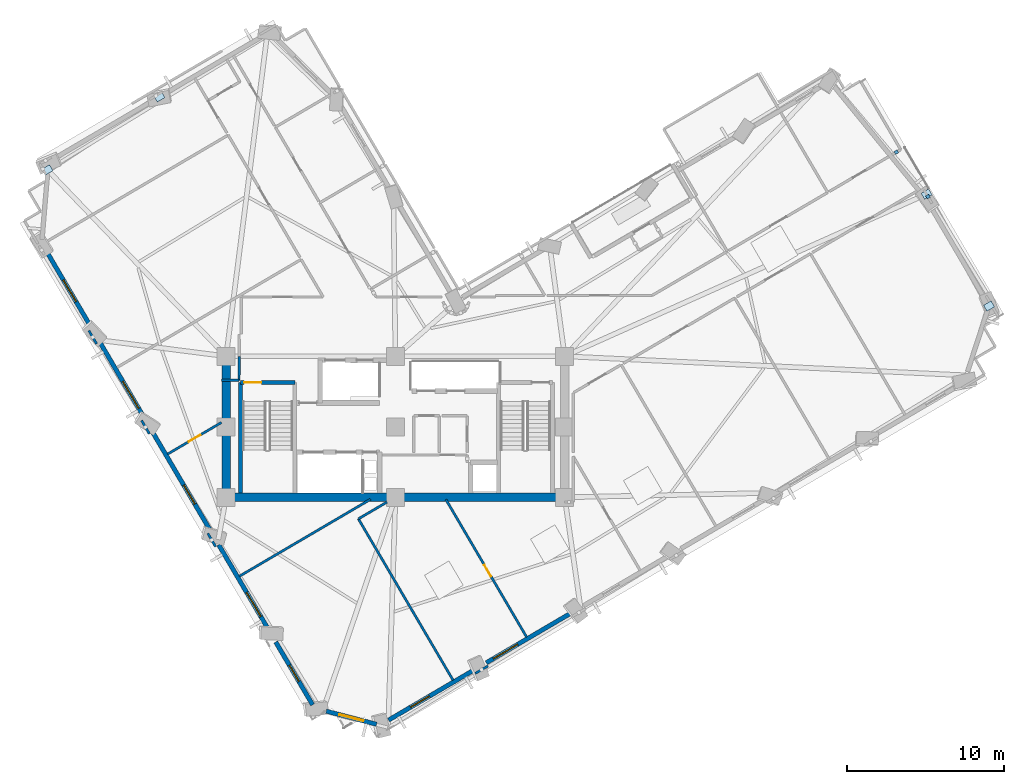
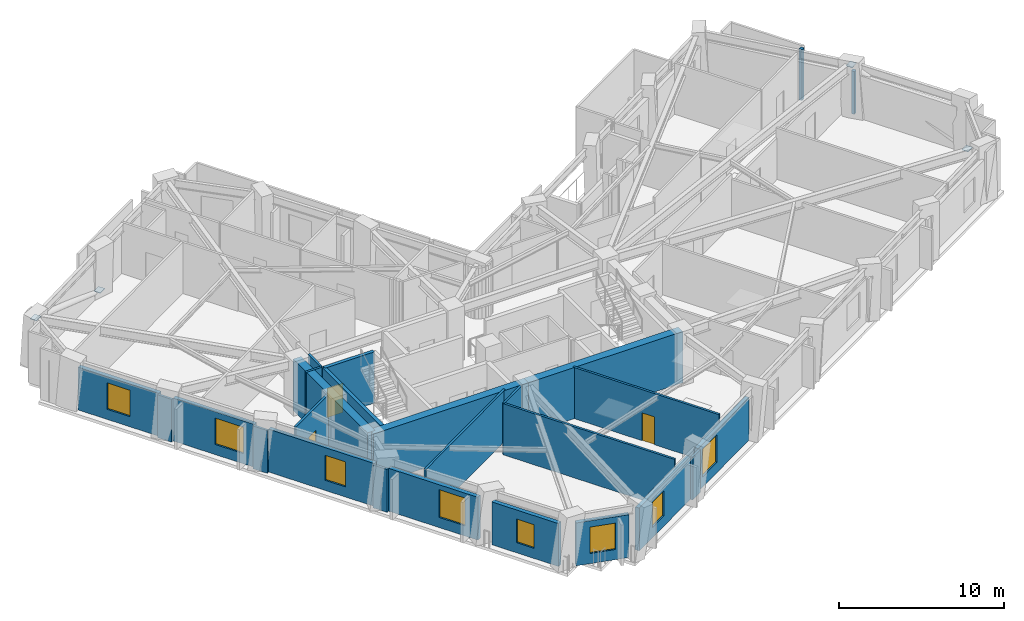
# One storey, part 4 of 12: 24 walls, 8 windows, 6 plates, 3 doors, 11 openings.
"""IFC4 building model written with IfcOpenShell, lengths in metres."""

from ifc_helpers import new_model, si_unit, direction, frame, frame_2d, origin, origin_2d, place, context, subcontext, project, spatial, rectangle, extrude, material, layer, layer_set, type_object, element, fill, save


model = new_model("IFC4")

# Units and contexts
model_context = context("Model", 3, precision=1e-05, world=origin(), true_north=direction((0.0, 1.0)))
body_context = subcontext(model_context, "Body", "Model", "MODEL_VIEW")
ifc_project = project(units=[si_unit("LENGTHUNIT", "METRE"), si_unit("AREAUNIT", "SQUARE_METRE"), si_unit("VOLUMEUNIT", "CUBIC_METRE"), si_unit("PLANEANGLEUNIT", "RADIAN"), si_unit("MASSUNIT", "GRAM", prefix="KILO")], contexts=[model_context])

# Site, building, storey
site_placement = place(None, origin())
site = spatial("IfcSite", under=ifc_project, at=site_placement, CompositionType="ELEMENT")
building_placement = place(site_placement, origin())
building = spatial("IfcBuilding", under=site, at=building_placement, Name="Gaonmaruhae Medical Tower", CompositionType="ELEMENT")
storey_placement = place(building_placement, frame((0.0, 0.0, 153.800048828125)))
storey = spatial("IfcBuildingStorey", under=building, at=storey_placement, Name="L36", CompositionType="ELEMENT", Elevation=153.800048828125)

# Plates
ifc_material_1 = material(Name="Steel HSA650 (650 MPa)", Category="steel")
ifc_layer_1 = layer(ifc_material_1, 0.028076171875)
ifc_layer_set_1 = layer_set([ifc_layer_1], Name="Steel HSA650 (650 MPa)")
plate_type_1 = type_object("IfcPlateType", Name="GP-02 Tube Brace End Cap Gusset Plate", PredefinedType="USERDEFINED", material=ifc_layer_set_1)
for number, where, z_axis, x_axis, name in (
    (1, (62.674560546875, 20.003173828125, 0.23583984375), (0.0, 0.0, 1.0), (0.862513669207, 0.506033764121, 0.0), "L36 Gusset Cap Plate PLT-L36-PBR-E01A"),
    (2, (58.692138671875, 27.147216796875, 3.51611328125), (0.0, 0.0, 1.0), (0.854005138885, 0.520264569962, 0.0), "L36 Gusset Cap Plate PLT-L36-PBR-E01B"),
    (3, (9.74169921875, 33.352783203125, 0.23583984375), (0.0, 0.0, 1.0), (0.862513669207, 0.506033764121, 0.0), "L36 Gusset Cap Plate PLT-L36-PBR-N02A"),
    (4, (2.600341796875, 28.68994140625, 3.51611328125), (0.0, 0.0, 1.0), (0.854005138885, 0.520264569962, 0.0), "L36 Gusset Cap Plate PLT-L36-PBR-N02B"),
):
    element("IfcPlate", number, at=place(storey_placement, frame(where, z_axis=z_axis, x_axis=x_axis)), inside=storey, type_object=plate_type_1, Name=name, ObjectType="GUSSET_PLATE", PredefinedType="USERDEFINED", context=body_context, shape_type="SweptSolid", body=[
        extrude(rectangle(XDim=0.56005859375, YDim=0.43994140625, at=origin_2d()), origin(), (0.0, 0.0, 1.0), 0.028076171875),
    ])
ifc_material_2 = material(Name="Anodised aluminium 6063-T6", Category="aluminium")
ifc_layer_2 = layer(ifc_material_2, 0.011962890625)
ifc_layer_set_2 = layer_set([ifc_layer_2], Name="Anodised aluminium 6063-T6")
plate_type_2 = type_object("IfcPlateType", Name="PP-01 Interior Partition Corner Stiffener Plate", PredefinedType="SHEET", material=ifc_layer_set_2)
plate_1_placement = place(storey_placement, frame((58.77587890625, 26.985107421875, 0.0), z_axis=(0.0, 0.0, 1.0), x_axis=(0.506139136268, -0.862451839083, 0.0)))
element("IfcPlate", 5, at=plate_1_placement, inside=storey, type_object=plate_type_2, Name="L36 Partition Corner Stiffener Plate PLT-L36-JGP-PW030", PredefinedType="SHEET", context=body_context, shape_type="SweptSolid", body=[
    extrude(rectangle(XDim=0.219970703125, YDim=0.219970703125, at=origin_2d()), origin(), (0.0, 0.0, 1.0), 3.1650390625),
])
plate_2_placement = place(storey_placement, frame((56.763427734375, 29.822021484375, 0.0), z_axis=(0.0, 0.0, 1.0), x_axis=(-0.862018667818, -0.506876529674, 0.0)))
element("IfcPlate", 6, at=plate_2_placement, inside=storey, type_object=plate_type_2, Name="L36 Partition Corner Stiffener Plate PLT-L36-JGP-PW089", PredefinedType="SHEET", context=body_context, shape_type="SweptSolid", body=[
    extrude(rectangle(XDim=0.219970703125, YDim=0.219970703125, at=origin_2d()), origin(), (0.0, 0.0, 1.0), 3.780029296875),
])

# Walls
ifc_material_3 = material(Name="Concrete C50/60", Category="concrete")
ifc_layer_3 = layer(ifc_material_3, 0.550048828125)
ifc_layer_set_3 = layer_set([ifc_layer_3], Name="Concrete C50/60")
wall_type_1 = type_object("IfcWallType", Name="CW-550 Mid-High Core Shear Wall", PredefinedType="SHEAR", material=ifc_layer_set_3)
for number, where, z_axis, x_axis, name in (
    (7, (14.0, 7.800048828125, 0.0), (0.0, 0.0, 1.0), (1.0, 0.0, 0.0), "L36 Core Shear Wall CSW-S1"),
    (8, (24.800048828125, 7.800048828125, 0.0), (0.0, 0.0, 1.0), (1.0, 0.0, 0.0), "L36 Core Shear Wall CSW-S2"),
):
    element("IfcWall", number, at=place(storey_placement, frame(where, z_axis=z_axis, x_axis=x_axis)), inside=storey, type_object=wall_type_1, Name=name, PredefinedType="SHEAR", context=body_context, shape_type="SweptSolid", body=[
        extrude(rectangle(XDim=10.800048828125, YDim=0.550048828125, at=frame_2d((5.39990234375, 0.0))), origin(), (0.0, 0.0, 1.0), 3.780029296875),
    ])
wall_1_placement = place(storey_placement, frame((14.0, 16.800048828125, 0.0), z_axis=(0.0, 0.0, 1.0), x_axis=(0.0, -1.0, 0.0)))
element("IfcWall", 9, at=wall_1_placement, inside=storey, type_object=wall_type_1, Name="L36 Core Shear Wall CSW-W1", PredefinedType="SHEAR", context=body_context, shape_type="SweptSolid", body=[
    extrude(rectangle(XDim=9.0, YDim=0.550048828125, at=frame_2d((4.5, 0.0))), origin(), (0.0, 0.0, 1.0), 3.780029296875),
])

# Wall, opening, window
ifc_material_4 = material(Name="Precast concrete C45/55", Category="concrete")
ifc_layer_4 = layer(ifc_material_4, 0.280029296875)
ifc_layer_set_4 = layer_set([ifc_layer_4], Name="Precast concrete C45/55")
wall_type_2 = type_object("IfcWallType", Name="EW-280 Upper Precast Masonry-Frame Facade Wall", PredefinedType="SOLIDWALL", material=ifc_layer_set_4)
wall_2_placement = place(storey_placement, frame((29.773681640625, -3.241455078125, 0.0), z_axis=(0.0, 0.0, 1.0), x_axis=(-0.862502244899, -0.506053235879, 0.0)))
wall_2 = element("IfcWall", 10, at=wall_2_placement, inside=storey, type_object=wall_type_2, Name="L36 Precast Masonry-Frame Wall S01-S02", PredefinedType="SOLIDWALL", context=body_context, shape_type="SweptSolid", body=[
    extrude(rectangle(XDim=6.269775390625, YDim=0.280029296875, at=frame_2d((3.134765625, 0.0))), origin(), (0.0, 0.0, 1.0), 3.1650390625),
])
opening_1_placement = place(wall_2_placement, frame((3.246826171875, 0.0, 0.75)))
opening_1 = element("IfcOpeningElement", 11, at=opening_1_placement, cuts=wall_2, Name="Opening WN-03", PredefinedType="OPENING", context=body_context, shape_type="SweptSolid", body=[
    extrude(rectangle(XDim=1.39990234375, YDim=1.85009765625, at=frame_2d((0.699951171875, 0.925048828125))), frame((0.0, 0.14990234375, 0.0), z_axis=(0.0, -1.0, 0.0), x_axis=(1.0, 0.0, 0.0)), (0.0, 0.0, 1.0), 0.300048828125),
])
ifc_material_5 = material(Name="Anodised aluminium and Low-E double glazing", Category="aluminium")
window_type_1 = type_object("IfcWindowType", Name="WN-03 Isolation Ward Punched Window 1400x1850", PartitioningType="SINGLE_PANEL", PredefinedType="WINDOW", material=ifc_material_5)
window_1_placement = place(opening_1_placement, origin())
window_1 = element("IfcWindow", 12, at=window_1_placement, inside=storey, type_object=window_type_1, Name="L36 Modular Facade Window S01", OverallHeight=1.85009765625, OverallWidth=1.39990234375, PartitioningType="SINGLE_PANEL", PredefinedType="WINDOW", context=body_context, shape_type="SweptSolid", body=[
    extrude(rectangle(XDim=1.39990234375, YDim=1.85009765625, at=frame_2d((0.699951171875, 0.925048828125))), frame((0.0, 0.030029296875, 0.0), z_axis=(0.0, -1.0, 0.0), x_axis=(1.0, 0.0, 0.0)), (0.0, 0.0, 1.0), 0.06005859375),
])
fill(opening_1, window_1)

wall_3_placement = place(storey_placement, frame((35.9716796875, 0.394775390625, 0.0), z_axis=(0.0, 0.0, 1.0), x_axis=(-0.862513511096, -0.506034033615, 0.0)))
wall_3 = element("IfcWall", 13, at=wall_3_placement, inside=storey, type_object=wall_type_2, Name="L36 Precast Masonry-Frame Wall S02-S03", PredefinedType="SOLIDWALL", context=body_context, shape_type="SweptSolid", body=[
    extrude(rectangle(XDim=6.234375, YDim=0.280029296875, at=frame_2d((3.1171875, 0.0))), origin(), (0.0, 0.0, 1.0), 3.1650390625),
])
opening_2_placement = place(wall_3_placement, frame((3.907470703125, 0.0, 0.75)))
opening_2 = element("IfcOpeningElement", 14, at=opening_2_placement, cuts=wall_3, Name="Opening WN-04", PredefinedType="OPENING", context=body_context, shape_type="SweptSolid", body=[
    extrude(rectangle(XDim=1.800048828125, YDim=2.050048828125, at=frame_2d((0.89990234375, 1.02490234375))), frame((0.0, 0.14990234375, 0.0), z_axis=(0.0, -1.0, 0.0), x_axis=(1.0, 0.0, 0.0)), (0.0, 0.0, 1.0), 0.300048828125),
])
window_type_2 = type_object("IfcWindowType", Name="WN-04 Clinic & Consult Punched Window 1800x2050", PartitioningType="SINGLE_PANEL", PredefinedType="WINDOW", material=ifc_material_5)
window_2_placement = place(opening_2_placement, origin())
window_2 = element("IfcWindow", 15, at=window_2_placement, inside=storey, type_object=window_type_2, Name="L36 Modular Facade Window S02", OverallHeight=2.050048828125, OverallWidth=1.800048828125, PartitioningType="SINGLE_PANEL", PredefinedType="WINDOW", context=body_context, shape_type="SweptSolid", body=[
    extrude(rectangle(XDim=1.800048828125, YDim=2.050048828125, at=frame_2d((0.89990234375, 1.02490234375))), frame((0.0, 0.030029296875, 0.0), z_axis=(0.0, -1.0, 0.0), x_axis=(1.0, 0.0, 0.0)), (0.0, 0.0, 1.0), 0.06005859375),
])
fill(opening_2, window_2)

wall_4_placement = place(storey_placement, frame((5.43896484375, 18.553955078125, 0.0), z_axis=(0.0, 0.0, 1.0), x_axis=(-0.506043442112, 0.862507991091, 0.0)))
wall_4 = element("IfcWall", 16, at=wall_4_placement, inside=storey, type_object=wall_type_2, Name="L36 Precast Masonry-Frame Wall W01-W02", PredefinedType="SOLIDWALL", context=body_context, shape_type="SweptSolid", body=[
    extrude(rectangle(XDim=5.627685546875, YDim=0.280029296875, at=frame_2d((2.81396484375, 0.0))), origin(), (0.0, 0.0, 1.0), 3.1650390625),
])
opening_3_placement = place(wall_4_placement, frame((2.01123046875, 0.0, 0.75)))
opening_3 = element("IfcOpeningElement", 17, at=opening_3_placement, cuts=wall_4, Name="Opening WN-01", PredefinedType="OPENING", context=body_context, shape_type="SweptSolid", body=[
    extrude(rectangle(XDim=1.60009765625, YDim=1.949951171875, at=frame_2d((0.800048828125, 0.97509765625))), frame((0.0, 0.14990234375, 0.0), z_axis=(0.0, -1.0, 0.0), x_axis=(1.0, 0.0, 0.0)), (0.0, 0.0, 1.0), 0.300048828125),
])
window_type_3 = type_object("IfcWindowType", Name="WN-01 Ward Punched Acoustic Window 1600x1950", PartitioningType="SINGLE_PANEL", PredefinedType="WINDOW", material=ifc_material_5)
window_3_placement = place(opening_3_placement, origin())
window_3 = element("IfcWindow", 18, at=window_3_placement, inside=storey, type_object=window_type_3, Name="L36 Modular Facade Window W01", OverallHeight=1.949951171875, OverallWidth=1.60009765625, PartitioningType="SINGLE_PANEL", PredefinedType="WINDOW", context=body_context, shape_type="SweptSolid", body=[
    extrude(rectangle(XDim=1.60009765625, YDim=1.949951171875, at=frame_2d((0.800048828125, 0.97509765625))), frame((0.0, 0.030029296875, 0.0), z_axis=(0.0, -1.0, 0.0), x_axis=(1.0, 0.0, 0.0)), (0.0, 0.0, 1.0), 0.06005859375),
])
fill(opening_3, window_3)

wall_5_placement = place(storey_placement, frame((8.801513671875, 12.82275390625, 0.0), z_axis=(0.0, 0.0, 1.0), x_axis=(-0.506043695411, 0.862507842477, 0.0)))
wall_5 = element("IfcWall", 19, at=wall_5_placement, inside=storey, type_object=wall_type_2, Name="L36 Precast Masonry-Frame Wall W02-W03", PredefinedType="SOLIDWALL", context=body_context, shape_type="SweptSolid", body=[
    extrude(rectangle(XDim=5.662109375, YDim=0.280029296875, at=frame_2d((2.8310546875, 0.0))), origin(), (0.0, 0.0, 1.0), 3.1650390625),
])
opening_4_placement = place(wall_5_placement, frame((0.748291015625, 0.0, 0.75)))
opening_4 = element("IfcOpeningElement", 20, at=opening_4_placement, cuts=wall_5, Name="Opening WN-02", PredefinedType="OPENING", context=body_context, shape_type="SweptSolid", body=[
    extrude(rectangle(XDim=2.0, YDim=1.949951171875, at=frame_2d((1.0, 0.97509765625))), frame((0.0, 0.14990234375, 0.0), z_axis=(0.0, -1.0, 0.0), x_axis=(1.0, 0.0, 0.0)), (0.0, 0.0, 1.0), 0.300048828125),
])
window_type_4 = type_object("IfcWindowType", Name="WN-02 Double-Bed Ward Punched Window 2000x1950", PartitioningType="SINGLE_PANEL", PredefinedType="WINDOW", material=ifc_material_5)
window_4_placement = place(opening_4_placement, origin())
window_4 = element("IfcWindow", 21, at=window_4_placement, inside=storey, type_object=window_type_4, Name="L36 Modular Facade Window W02", OverallHeight=1.949951171875, OverallWidth=2.0, PartitioningType="SINGLE_PANEL", PredefinedType="WINDOW", context=body_context, shape_type="SweptSolid", body=[
    extrude(rectangle(XDim=2.0, YDim=1.949951171875, at=frame_2d((1.0, 0.97509765625))), frame((0.0, 0.030029296875, 0.0), z_axis=(0.0, -1.0, 0.0), x_axis=(1.0, 0.0, 0.0)), (0.0, 0.0, 1.0), 0.06005859375),
])
fill(opening_4, window_4)

wall_6_placement = place(storey_placement, frame((13.028076171875, 5.618896484375, 0.0), z_axis=(0.0, 0.0, 1.0), x_axis=(-0.506051462326, 0.862503285488, 0.0)))
wall_6 = element("IfcWall", 22, at=wall_6_placement, inside=storey, type_object=wall_type_2, Name="L36 Precast Masonry-Frame Wall W03-W04", PredefinedType="SOLIDWALL", context=body_context, shape_type="SweptSolid", body=[
    extrude(rectangle(XDim=7.360107421875, YDim=0.280029296875, at=frame_2d((3.68017578125, 0.0))), origin(), (0.0, 0.0, 1.0), 3.1650390625),
])
opening_5_placement = place(wall_6_placement, frame((2.025146484375, 0.0, 0.75)))
opening_5 = element("IfcOpeningElement", 23, at=opening_5_placement, cuts=wall_6, Name="Opening WN-03", PredefinedType="OPENING", context=body_context, shape_type="SweptSolid", body=[
    extrude(rectangle(XDim=1.39990234375, YDim=1.85009765625, at=frame_2d((0.699951171875, 0.925048828125))), frame((0.0, 0.14990234375, 0.0), z_axis=(0.0, -1.0, 0.0), x_axis=(1.0, 0.0, 0.0)), (0.0, 0.0, 1.0), 0.300048828125),
])
window_5_placement = place(opening_5_placement, origin())
window_5 = element("IfcWindow", 24, at=window_5_placement, inside=storey, type_object=window_type_1, Name="L36 Modular Facade Window W03", OverallHeight=1.85009765625, OverallWidth=1.39990234375, PartitioningType="SINGLE_PANEL", PredefinedType="WINDOW", context=body_context, shape_type="SweptSolid", body=[
    extrude(rectangle(XDim=1.39990234375, YDim=1.85009765625, at=frame_2d((0.699951171875, 0.925048828125))), frame((0.0, 0.030029296875, 0.0), z_axis=(0.0, -1.0, 0.0), x_axis=(1.0, 0.0, 0.0)), (0.0, 0.0, 1.0), 0.06005859375),
])
fill(opening_5, window_5)

wall_7_placement = place(storey_placement, frame((16.676513671875, -0.599853515625, 0.0), z_axis=(0.0, 0.0, 1.0), x_axis=(-0.506042627489, 0.862508469039, 0.0)))
wall_7 = element("IfcWall", 25, at=wall_7_placement, inside=storey, type_object=wall_type_2, Name="L36 Precast Masonry-Frame Wall W04-W05", PredefinedType="SOLIDWALL", context=body_context, shape_type="SweptSolid", body=[
    extrude(rectangle(XDim=6.2236328125, YDim=0.280029296875, at=frame_2d((3.11181640625, 0.0))), origin(), (0.0, 0.0, 1.0), 3.1650390625),
])
opening_6_placement = place(wall_7_placement, frame((0.91259765625, 0.0, 0.75)))
opening_6 = element("IfcOpeningElement", 26, at=opening_6_placement, cuts=wall_7, Name="Opening WN-04", PredefinedType="OPENING", context=body_context, shape_type="SweptSolid", body=[
    extrude(rectangle(XDim=1.800048828125, YDim=2.050048828125, at=frame_2d((0.89990234375, 1.02490234375))), frame((0.0, 0.14990234375, 0.0), z_axis=(0.0, -1.0, 0.0), x_axis=(1.0, 0.0, 0.0)), (0.0, 0.0, 1.0), 0.300048828125),
])
window_6_placement = place(opening_6_placement, origin())
window_6 = element("IfcWindow", 27, at=window_6_placement, inside=storey, type_object=window_type_2, Name="L36 Modular Facade Window W04", OverallHeight=2.050048828125, OverallWidth=1.800048828125, PartitioningType="SINGLE_PANEL", PredefinedType="WINDOW", context=body_context, shape_type="SweptSolid", body=[
    extrude(rectangle(XDim=1.800048828125, YDim=2.050048828125, at=frame_2d((0.89990234375, 1.02490234375))), frame((0.0, 0.030029296875, 0.0), z_axis=(0.0, -1.0, 0.0), x_axis=(1.0, 0.0, 0.0)), (0.0, 0.0, 1.0), 0.06005859375),
])
fill(opening_6, window_6)

wall_8_placement = place(storey_placement, frame((19.516845703125, -5.441162109375, 0.0), z_axis=(0.0, 0.0, 1.0), x_axis=(-0.506034933201, 0.862512983311, 0.0)))
wall_8 = element("IfcWall", 28, at=wall_8_placement, inside=storey, type_object=wall_type_2, Name="L36 Precast Masonry-Frame Wall W05-W06", PredefinedType="SOLIDWALL", context=body_context, shape_type="SweptSolid", body=[
    extrude(rectangle(XDim=4.6474609375, YDim=0.280029296875, at=frame_2d((2.32373046875, 0.0))), origin(), (0.0, 0.0, 1.0), 3.1650390625),
])
opening_7_placement = place(wall_8_placement, frame((1.72705078125, 0.0, 0.75)))
opening_7 = element("IfcOpeningElement", 29, at=opening_7_placement, cuts=wall_8, Name="Opening WN-05", PredefinedType="OPENING", context=body_context, shape_type="SweptSolid", body=[
    extrude(rectangle(XDim=1.199951171875, YDim=1.75, at=frame_2d((0.60009765625, 0.875))), frame((0.0, 0.14990234375, 0.0), z_axis=(0.0, -1.0, 0.0), x_axis=(1.0, 0.0, 0.0)), (0.0, 0.0, 1.0), 0.300048828125),
])
window_type_5 = type_object("IfcWindowType", Name="WN-05 Support & Staff Punched Window 1200x1750", PartitioningType="SINGLE_PANEL", PredefinedType="WINDOW", material=ifc_material_5)
window_7_placement = place(opening_7_placement, origin())
window_7 = element("IfcWindow", 30, at=window_7_placement, inside=storey, type_object=window_type_5, Name="L36 Modular Facade Window W05", OverallHeight=1.75, OverallWidth=1.199951171875, PartitioningType="SINGLE_PANEL", PredefinedType="WINDOW", context=body_context, shape_type="SweptSolid", body=[
    extrude(rectangle(XDim=1.199951171875, YDim=1.75, at=frame_2d((0.60009765625, 0.875))), frame((0.0, 0.030029296875, 0.0), z_axis=(0.0, -1.0, 0.0), x_axis=(1.0, 0.0, 0.0)), (0.0, 0.0, 1.0), 0.06005859375),
])
fill(opening_7, window_7)

wall_9_placement = place(storey_placement, frame((23.598388671875, -6.68212890625, 0.0), z_axis=(0.0, 0.0, 1.0), x_axis=(-0.96770071089, 0.252101832883, 0.0)))
wall_9 = element("IfcWall", 31, at=wall_9_placement, inside=storey, type_object=wall_type_2, Name="L36 Precast Masonry-Frame Wall W06-S01", PredefinedType="SOLIDWALL", context=body_context, shape_type="SweptSolid", body=[
    extrude(rectangle(XDim=3.32275390625, YDim=0.280029296875, at=frame_2d((1.661376953125, 0.0))), origin(), (0.0, 0.0, 1.0), 3.1650390625),
])
opening_8_placement = place(wall_9_placement, frame((0.86083984375, 0.0, 0.75)))
opening_8 = element("IfcOpeningElement", 32, at=opening_8_placement, cuts=wall_9, Name="Opening WN-01", PredefinedType="OPENING", context=body_context, shape_type="SweptSolid", body=[
    extrude(rectangle(XDim=1.60009765625, YDim=1.949951171875, at=frame_2d((0.800048828125, 0.97509765625))), frame((0.0, 0.14990234375, 0.0), z_axis=(0.0, -1.0, 0.0), x_axis=(1.0, 0.0, 0.0)), (0.0, 0.0, 1.0), 0.300048828125),
])
window_8_placement = place(opening_8_placement, origin())
window_8 = element("IfcWindow", 33, at=window_8_placement, inside=storey, type_object=window_type_3, Name="L36 Modular Facade Window W06", OverallHeight=1.949951171875, OverallWidth=1.60009765625, PartitioningType="SINGLE_PANEL", PredefinedType="WINDOW", context=body_context, shape_type="SweptSolid", body=[
    extrude(rectangle(XDim=1.60009765625, YDim=1.949951171875, at=frame_2d((0.800048828125, 0.97509765625))), frame((0.0, 0.030029296875, 0.0), z_axis=(0.0, -1.0, 0.0), x_axis=(1.0, 0.0, 0.0)), (0.0, 0.0, 1.0), 0.06005859375),
])
fill(opening_8, window_8)

# Walls
ifc_material_6 = material(Name="Gypsum board partition", Category="gypsum")
ifc_layer_5 = layer(ifc_material_6, 0.14990234375)
ifc_layer_set_5 = layer_set([ifc_layer_5], Name="Gypsum board partition")
wall_type_3 = type_object("IfcWallType", Name="PW-150 Rated Clinical Corridor Partition", PredefinedType="PARTITIONING", material=ifc_layer_set_5)
wall_10_placement = place(storey_placement, frame((30.7109375, -2.958984375, 0.0), z_axis=(0.0, 0.0, 1.0), x_axis=(-0.862856185933, -0.505449505289, 0.0)))
element("IfcWall", 34, at=wall_10_placement, inside=storey, type_object=wall_type_3, Name="L36 Interior Partition L36-SUP02-8", PredefinedType="PARTITIONING", context=body_context, shape_type="SweptSolid", body=[
    extrude(rectangle(XDim=0.95166015625, YDim=0.14990234375, at=frame_2d((0.475830078125, 0.0))), origin(), (0.0, 0.0, 1.0), 3.1650390625),
])
wall_11_placement = place(storey_placement, frame((28.47802734375, -3.867919921875, 0.0), z_axis=(0.0, 0.0, 1.0), x_axis=(-0.506072235551, 0.862491097, 0.0)))
element("IfcWall", 35, at=wall_11_placement, inside=storey, type_object=wall_type_3, Name="L36 Interior Partition L36-SUP02-9", PredefinedType="PARTITIONING", context=body_context, shape_type="SweptSolid", body=[
    extrude(rectangle(XDim=11.93505859375, YDim=0.14990234375, at=frame_2d((5.967529296875, 0.0))), origin(), (0.0, 0.0, 1.0), 3.780029296875),
])
wall_12_placement = place(storey_placement, frame((22.43798828125, 6.426025390625, 0.0), z_axis=(0.0, 0.0, 1.0), x_axis=(0.862692781394, 0.505728350926, 0.0)))
element("IfcWall", 36, at=wall_12_placement, inside=storey, type_object=wall_type_3, Name="L36 Interior Partition L36-SUP02-10", PredefinedType="PARTITIONING", context=body_context, shape_type="SweptSolid", body=[
    extrude(rectangle(XDim=2.12353515625, YDim=0.14990234375, at=frame_2d((1.061767578125, 0.0))), origin(), (0.0, 0.0, 1.0), 3.780029296875),
])

# Wall, opening, door
wall_13_placement = place(storey_placement, frame((28.02001953125, 7.662109375, 0.0), z_axis=(0.0, 0.0, 1.0), x_axis=(0.506063633063, -0.862496144508, 0.0)))
wall_13 = element("IfcWall", 37, at=wall_13_placement, inside=storey, type_object=wall_type_3, Name="L36 Interior Partition L36-SUP02-11", PredefinedType="PARTITIONING", context=body_context, shape_type="SweptSolid", body=[
    extrude(rectangle(XDim=10.176513671875, YDim=0.14990234375, at=frame_2d((5.08837890625, 0.0))), origin(), (0.0, 0.0, 1.0), 3.780029296875),
])
opening_9_placement = place(wall_13_placement, frame((4.83203125, 0.0, 0.0)))
opening_9 = element("IfcOpeningElement", 38, at=opening_9_placement, cuts=wall_13, Name="Opening AD-01", PredefinedType="OPENING", context=body_context, shape_type="SweptSolid", body=[
    extrude(rectangle(XDim=0.860107421875, YDim=2.06005859375, at=frame_2d((0.43017578125, 1.030029296875))), frame((0.0, 0.0849609375, 0.0), z_axis=(0.0, -1.0, 0.0), x_axis=(1.0, 0.0, 0.0)), (0.0, 0.0, 1.0), 0.169921875),
])
ifc_material_7 = material(Name="Powder-coated steel access door", Category="steel")
door_type_1 = type_object("IfcDoorType", Name="AD-01 Riser & Closet Access Fire Door 860x2060", OperationType="NOTDEFINED", PredefinedType="DOOR", material=ifc_material_7)
door_1_placement = place(opening_9_placement, origin())
door_1 = element("IfcDoor", 39, at=door_1_placement, inside=storey, type_object=door_type_1, Name="L36 Clinical Biomedical Charting Office Sliding Door", OperationType="SLIDING_TO_LEFT", OverallHeight=2.06005859375, OverallWidth=0.860107421875, PredefinedType="DOOR", context=body_context, shape_type="SweptSolid", body=[
    extrude(rectangle(XDim=0.860107421875, YDim=2.06005859375, at=frame_2d((0.43017578125, 1.030029296875))), frame((0.0, 0.02490234375, 0.0), z_axis=(0.0, -1.0, 0.0), x_axis=(1.0, 0.0, 0.0)), (0.0, 0.0, 1.0), 0.050048828125),
])
fill(opening_9, door_1)

# Walls
wall_14_placement = place(storey_placement, frame((23.214111328125, 7.675048828125, 0.0), z_axis=(0.0, 0.0, 1.0), x_axis=(-0.862480430276, -0.506090414245, 0.0)))
element("IfcWall", 40, at=wall_14_placement, inside=storey, type_object=wall_type_3, Name="L36 Interior Partition L36-WOF08-34", PredefinedType="PARTITIONING", context=body_context, shape_type="SweptSolid", body=[
    extrude(rectangle(XDim=9.711669921875, YDim=0.14990234375, at=frame_2d((4.85595703125, 0.0))), origin(), (0.0, 0.0, 1.0), 3.780029296875),
])
wall_15_placement = place(storey_placement, frame((13.3291015625, 4.652099609375, 0.0), z_axis=(0.0, 0.0, 1.0), x_axis=(-0.506348760588, 0.862328784543, 0.0)))
element("IfcWall", 41, at=wall_15_placement, inside=storey, type_object=wall_type_3, Name="L36 Interior Partition L36-WOF08-35", PredefinedType="PARTITIONING", context=body_context, shape_type="SweptSolid", body=[
    extrude(rectangle(XDim=0.985595703125, YDim=0.14990234375, at=frame_2d((0.49267578125, 0.0))), origin(), (0.0, 0.0, 1.0), 3.1650390625),
])

# Wall, opening, door
wall_16_placement = place(storey_placement, frame((10.263916015625, 10.55810546875, 0.0), z_axis=(0.0, 0.0, 1.0), x_axis=(0.862518129621, 0.506026161453, 0.0)))
wall_16 = element("IfcWall", 42, at=wall_16_placement, inside=storey, type_object=wall_type_3, Name="L36 Interior Partition L36-WOF08-36", PredefinedType="PARTITIONING", context=body_context, shape_type="SweptSolid", body=[
    extrude(rectangle(XDim=3.983642578125, YDim=0.14990234375, at=frame_2d((1.99169921875, 0.0))), origin(), (0.0, 0.0, 1.0), 3.780029296875),
])
opening_10_placement = place(wall_16_placement, frame((1.56201171875, 0.0, 0.0)))
opening_10 = element("IfcOpeningElement", 43, at=opening_10_placement, cuts=wall_16, Name="Opening AD-01", PredefinedType="OPENING", context=body_context, shape_type="SweptSolid", body=[
    extrude(rectangle(XDim=0.860107421875, YDim=2.06005859375, at=frame_2d((0.43017578125, 1.030029296875))), frame((0.0, 0.0849609375, 0.0), z_axis=(0.0, -1.0, 0.0), x_axis=(1.0, 0.0, 0.0)), (0.0, 0.0, 1.0), 0.169921875),
])
door_2_placement = place(opening_10_placement, origin())
door_2 = element("IfcDoor", 44, at=door_2_placement, inside=storey, type_object=door_type_1, Name="L36 Ward Physician Reporting Office Sliding Door", OperationType="SLIDING_TO_LEFT", OverallHeight=2.06005859375, OverallWidth=0.860107421875, PredefinedType="DOOR", context=body_context, shape_type="SweptSolid", body=[
    extrude(rectangle(XDim=0.860107421875, YDim=2.06005859375, at=frame_2d((0.43017578125, 1.030029296875))), frame((0.0, 0.02490234375, 0.0), z_axis=(0.0, -1.0, 0.0), x_axis=(1.0, 0.0, 0.0)), (0.0, 0.0, 1.0), 0.050048828125),
])
fill(opening_10, door_2)

# Walls
wall_17_placement = place(storey_placement, frame((14.841064453125, 16.800048828125, 0.0), z_axis=(0.0, 0.0, 1.0), x_axis=(-0.01363221443, -0.999907077048, 0.0)))
element("IfcWall", 45, at=wall_17_placement, inside=storey, type_object=wall_type_3, Name="L36 Interior Partition L36-WOF09-39", PredefinedType="PARTITIONING", context=body_context, shape_type="SweptSolid", body=[
    extrude(rectangle(XDim=1.540283203125, YDim=0.14990234375, at=frame_2d((0.77001953125, 0.0))), origin(), (0.0, 0.0, 1.0), 3.780029296875),
])
wall_18_placement = place(storey_placement, frame((14.820068359375, 15.260009765625, 0.0), z_axis=(0.0, 0.0, 1.0), x_axis=(-1.0, 0.0, 0.0)))
element("IfcWall", 46, at=wall_18_placement, inside=storey, type_object=wall_type_3, Name="L36 Interior Partition L36-WOF09-40", PredefinedType="PARTITIONING", context=body_context, shape_type="SweptSolid", body=[
    extrude(rectangle(XDim=1.1201171875, YDim=0.14990234375, at=frame_2d((0.56005859375, 0.0))), origin(), (0.0, 0.0, 1.0), 3.780029296875),
])
wall_19_placement = place(storey_placement, frame((9.10498046875, 11.85107421875, 0.0), z_axis=(0.0, 0.0, 1.0), x_axis=(-0.506288159859, 0.862364365675, 0.0)))
element("IfcWall", 47, at=wall_19_placement, inside=storey, type_object=wall_type_3, Name="L36 Interior Partition L36-WOF09-41", PredefinedType="PARTITIONING", context=body_context, shape_type="SweptSolid", body=[
    extrude(rectangle(XDim=0.991455078125, YDim=0.14990234375, at=frame_2d((0.49560546875, 0.0))), origin(), (0.0, 0.0, 1.0), 3.1650390625),
])
wall_20_placement = place(storey_placement, frame((5.738037109375, 17.590087890625, 0.0), z_axis=(0.0, 0.0, 1.0), x_axis=(-0.506911529667, 0.861998086478, 0.0)))
element("IfcWall", 48, at=wall_20_placement, inside=storey, type_object=wall_type_3, Name="L36 Interior Partition L36-WOF10-47", PredefinedType="PARTITIONING", context=body_context, shape_type="SweptSolid", body=[
    extrude(rectangle(XDim=0.982421875, YDim=0.14990234375, at=frame_2d((0.4912109375, 0.0))), origin(), (0.0, 0.0, 1.0), 3.1650390625),
])

# Wall, opening, door
ifc_layer_6 = layer(ifc_material_3, 0.239990234375)
ifc_layer_set_6 = layer_set([ifc_layer_6], Name="Concrete C50/60")
wall_type_4 = type_object("IfcWallType", Name="SW-240 Dogleg Stair Tight Shaft Wall", PredefinedType="SOLIDWALL", material=ifc_layer_set_6)
wall_21_placement = place(storey_placement, frame((14.919921875, 15.1201171875, 0.0), z_axis=(0.0, 0.0, 1.0), x_axis=(1.0, 0.0, 0.0)))
wall_21 = element("IfcWall", 49, at=wall_21_placement, inside=storey, type_object=wall_type_4, Name="L36 ST-01 Stair Shaft Wall SHW-ST-01-N", PredefinedType="SOLIDWALL", context=body_context, shape_type="SweptSolid", body=[
    extrude(rectangle(XDim=3.4599609375, YDim=0.239990234375, at=frame_2d((1.72998046875, 0.0))), origin(), (0.0, 0.0, 1.0), 3.780029296875),
])
opening_11_placement = place(wall_21_placement, frame((0.219970703125, 0.0, 0.0)))
opening_11 = element("IfcOpeningElement", 50, at=opening_11_placement, cuts=wall_21, Name="Opening FD-01", PredefinedType="OPENING", context=body_context, shape_type="SweptSolid", body=[
    extrude(rectangle(XDim=1.10009765625, YDim=2.14990234375, at=frame_2d((0.550048828125, 1.074951171875))), frame((0.0, 0.1298828125, 0.0), z_axis=(0.0, -1.0, 0.0), x_axis=(1.0, 0.0, 0.0)), (0.0, 0.0, 1.0), 0.260009765625),
])
ifc_material_8 = material(Name="Powder-coated steel fire door", Category="steel")
door_type_2 = type_object("IfcDoorType", Name="FD-01 Escape Stair Protected Fire Door 1100x2150", OperationType="NOTDEFINED", PredefinedType="DOOR", material=ifc_material_8)
door_3_placement = place(opening_11_placement, origin())
door_3 = element("IfcDoor", 51, at=door_3_placement, inside=storey, type_object=door_type_2, Name="L36 ST-01 Protected Escape Stair Door", OperationType="SINGLE_SWING_RIGHT", OverallHeight=2.14990234375, OverallWidth=1.10009765625, PredefinedType="DOOR", context=body_context, shape_type="SweptSolid", body=[
    extrude(rectangle(XDim=1.10009765625, YDim=2.14990234375, at=frame_2d((0.550048828125, 1.074951171875))), frame((0.0, 0.02490234375, 0.0), z_axis=(0.0, -1.0, 0.0), x_axis=(1.0, 0.0, 0.0)), (0.0, 0.0, 1.0), 0.050048828125),
])
fill(opening_11, door_3)

# Wall
wall_22_placement = place(storey_placement, frame((14.919921875, 8.074951171875, 0.0), z_axis=(0.0, 0.0, 1.0), x_axis=(0.0, 1.0, 0.0)))
element("IfcWall", 52, at=wall_22_placement, inside=storey, type_object=wall_type_4, Name="L36 ST-01 Stair Shaft Wall SHW-ST-01-W", PredefinedType="SOLIDWALL", context=body_context, shape_type="SweptSolid", body=[
    extrude(rectangle(XDim=7.045166015625, YDim=0.239990234375, at=frame_2d((3.5224609375, 0.0))), origin(), (0.0, 0.0, 1.0), 3.780029296875),
])

save(model, "model.ifc")
